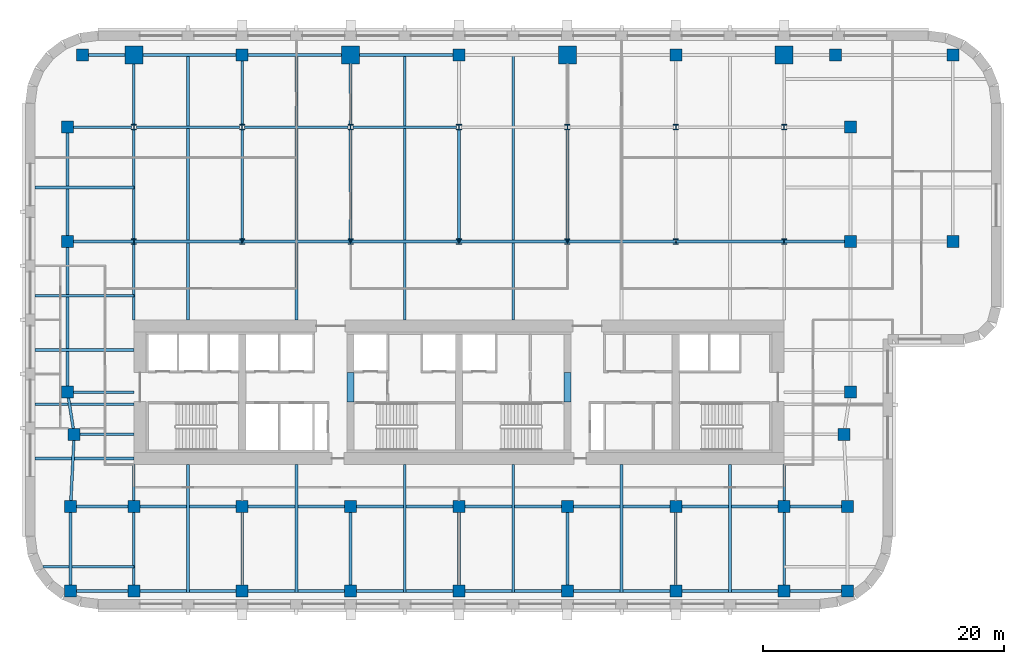
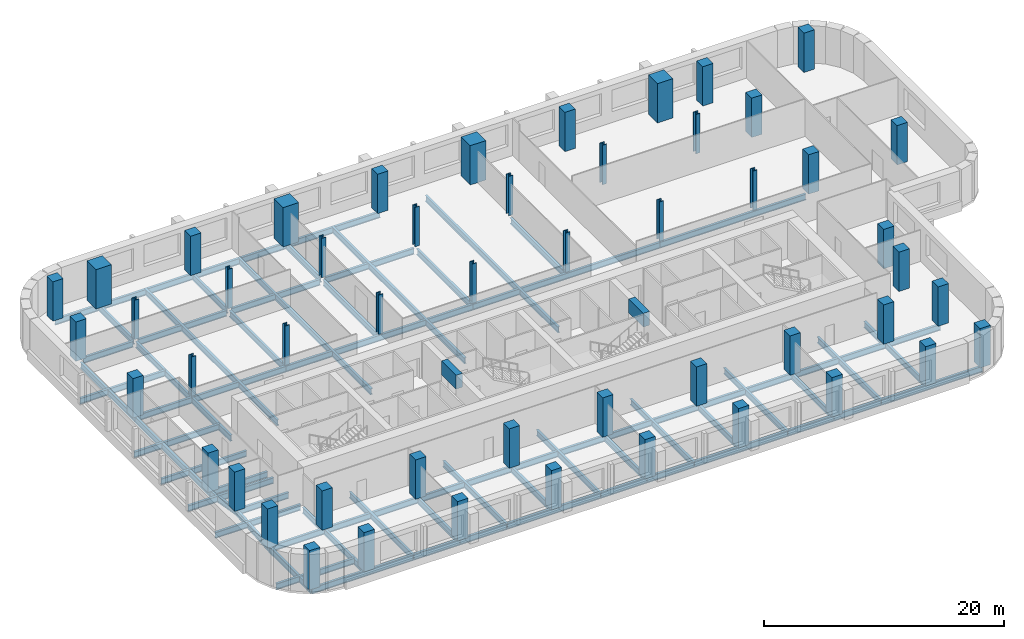
# One storey, part 1 of 9: 58 beams, 51 columns.
"""IFC4 building model written with IfcOpenShell, lengths in metres."""

from ifc_helpers import new_model, si_unit, direction, frame, origin, origin_2d, place, context, subcontext, project, spatial, rectangle, i_section, extrude, material, material_profile, profile_set, type_object, element, save


model = new_model("IFC4")

# Units and contexts
model_context = context("Model", 3, precision=1e-05, world=origin(), true_north=direction((0.0, 1.0)))
body_context = subcontext(model_context, "Body", "Model", "MODEL_VIEW")
ifc_project = project(units=[si_unit("LENGTHUNIT", "METRE"), si_unit("AREAUNIT", "SQUARE_METRE"), si_unit("VOLUMEUNIT", "CUBIC_METRE"), si_unit("PLANEANGLEUNIT", "RADIAN"), si_unit("MASSUNIT", "GRAM", prefix="KILO")], contexts=[model_context])

# Site, building, storey
site_placement = place(None, origin())
site = spatial("IfcSite", under=ifc_project, at=site_placement, CompositionType="ELEMENT")
building_placement = place(site_placement, origin())
building = spatial("IfcBuilding", under=site, at=building_placement, Name="Zellij Exchange Tower", CompositionType="ELEMENT")
storey_placement = place(building_placement, frame((0.0, 0.0, 112.5)))
storey = spatial("IfcBuildingStorey", under=building, at=storey_placement, Name="L24", CompositionType="ELEMENT", Elevation=112.5)

# Columns
ifc_material_1 = material(Name="Concrete C70/85", Category="concrete")
ifc_material_profile_1 = material_profile(ifc_material_1, rectangle(XDim=1.0, YDim=1.0, at=origin_2d()), Name="STR-COLUMN RC1000x1000 C70/85")
ifc_profile_set_1 = profile_set([ifc_material_profile_1], Name="Concrete C70/85")
column_type_1 = type_object("IfcColumnType", Name="STR-COLUMN RC1000x1000 C70/85", PredefinedType="COLUMN", material=ifc_profile_set_1)
for number, where, z_axis, x_axis, name in (
    (1, (-32.25, -24.5, 0.0), (0.0, 0.0, 1.0), (1.0, 0.0, 0.0), "C10"),
    (2, (-27.0, -24.5, 0.0), (0.0, 0.0, 1.0), (1.0, 0.0, 0.0), "C10"),
    (3, (-18.0, -24.5, 0.0), (0.0, 0.0, 1.0), (1.0, 0.0, 0.0), "C10"),
    (4, (-9.0, -24.5, 0.0), (0.0, 0.0, 1.0), (1.0, 0.0, 0.0), "C10"),
    (5, (0.0, -24.5, 0.0), (0.0, 0.0, 1.0), (1.0, 0.0, 0.0), "C10"),
    (6, (9.0, -24.5, 0.0), (0.0, 0.0, 1.0), (1.0, 0.0, 0.0), "C10"),
    (7, (18.0, -24.5, 0.0), (0.0, 0.0, 1.0), (1.0, 0.0, 0.0), "C10"),
    (8, (27.0, -24.5, 0.0), (0.0, 0.0, 1.0), (1.0, 0.0, 0.0), "C10"),
    (9, (32.25, -24.5, 0.0), (0.0, 0.0, 1.0), (1.0, 0.0, 0.0), "C10"),
    (10, (-32.25, -17.5, 0.0), (0.0, 0.0, 1.0), (1.0, 0.0, 0.0), "C10"),
    (11, (-27.0, -17.5, 0.0), (0.0, 0.0, 1.0), (1.0, 0.0, 0.0), "C10"),
    (12, (-18.0, -17.5, 0.0), (0.0, 0.0, 1.0), (1.0, 0.0, 0.0), "C10"),
    (13, (-9.0, -17.5, 0.0), (0.0, 0.0, 1.0), (1.0, 0.0, 0.0), "C10"),
    (14, (0.0, -17.5, 0.0), (0.0, 0.0, 1.0), (1.0, 0.0, 0.0), "C10"),
    (15, (9.0, -17.5, 0.0), (0.0, 0.0, 1.0), (1.0, 0.0, 0.0), "C10"),
    (16, (18.0, -17.5, 0.0), (0.0, 0.0, 1.0), (1.0, 0.0, 0.0), "C10"),
    (17, (27.0, -17.5, 0.0), (0.0, 0.0, 1.0), (1.0, 0.0, 0.0), "C10"),
    (18, (32.25, -17.5, 0.0), (0.0, 0.0, 1.0), (1.0, 0.0, 0.0), "C10"),
    (19, (-31.949951171875, -11.5, 0.0), (0.0, 0.0, 1.0), (1.0, 0.0, 0.0), "C10"),
    (20, (31.949951171875, -11.5, 0.0), (0.0, 0.0, 1.0), (1.0, 0.0, 0.0), "C10"),
    (21, (-32.5, -8.0, 0.0), (0.0, 0.0, 1.0), (1.0, 0.0, 0.0), "C10"),
    (22, (32.5, -8.0, 0.0), (0.0, 0.0, 1.0), (1.0, 0.0, 0.0), "C10"),
    (23, (-32.5, 4.5, 0.0), (0.0, 0.0, 1.0), (1.0, 0.0, 0.0), "C10"),
    (24, (32.5, 4.5, 0.0), (0.0, 0.0, 1.0), (1.0, 0.0, 0.0), "C10"),
    (25, (41.0, 4.5, 0.0), (0.0, 0.0, 1.0), (1.0, 0.0, 0.0), "C10"),
    (26, (-32.5, 14.0, 0.0), (0.0, 0.0, 1.0), (1.0, 0.0, 0.0), "C10"),
    (27, (32.5, 14.0, 0.0), (0.0, 0.0, 1.0), (1.0, 0.0, 0.0), "C10"),
    (28, (-31.25, 20.0, 0.0), (0.0, 0.0, 1.0), (1.0, 0.0, 0.0), "C10"),
    (29, (-18.0, 20.0, 0.0), (0.0, 0.0, 1.0), (1.0, 0.0, 0.0), "C10"),
    (30, (0.0, 20.0, 0.0), (0.0, 0.0, 1.0), (1.0, 0.0, 0.0), "C10"),
    (31, (18.0, 20.0, 0.0), (0.0, 0.0, 1.0), (1.0, 0.0, 0.0), "C10"),
    (32, (31.25, 20.0, 0.0), (0.0, 0.0, 1.0), (1.0, 0.0, 0.0), "C10"),
    (33, (41.0, 20.0, 0.0), (0.0, 0.0, 1.0), (1.0, 0.0, 0.0), "C10"),
):
    element("IfcColumn", number, at=place(storey_placement, frame(where, z_axis=z_axis, x_axis=x_axis)), inside=storey, type_object=column_type_1, Name=name, PredefinedType="COLUMN", context=body_context, shape_type="SweptSolid", body=[
        extrude(rectangle(XDim=1.0, YDim=1.0, at=origin_2d()), origin(), (0.0, 0.0, 1.0), 4.0),
    ])
ifc_material_2 = material(Name="Structural steel ASTM A913 Gr 65", Category="steel")
ifc_material_profile_2 = material_profile(ifc_material_2, i_section(OverallWidth=0.419189453125, OverallDepth=0.45458984375, WebThickness=0.042236328125, FlangeThickness=0.067626953125, at=origin_2d()), Name="W14x370")
ifc_profile_set_2 = profile_set([ifc_material_profile_2], Name="Structural steel ASTM A913 Gr 65")
column_type_2 = type_object("IfcColumnType", Name="STR-COLUMN W14x370", PredefinedType="COLUMN", material=ifc_profile_set_2)
for number, where, z_axis, x_axis, name in (
    (34, (-27.0, 4.5, 0.0), (0.0, 0.0, 1.0), (1.0, 0.0, 0.0), "C4"),
    (35, (-18.0, 4.5, 0.0), (0.0, 0.0, 1.0), (1.0, 0.0, 0.0), "C4"),
    (36, (-9.0, 4.5, 0.0), (0.0, 0.0, 1.0), (1.0, 0.0, 0.0), "C4"),
    (37, (0.0, 4.5, 0.0), (0.0, 0.0, 1.0), (1.0, 0.0, 0.0), "C4"),
    (38, (9.0, 4.5, 0.0), (0.0, 0.0, 1.0), (1.0, 0.0, 0.0), "C4"),
    (39, (18.0, 4.5, 0.0), (0.0, 0.0, 1.0), (1.0, 0.0, 0.0), "C4"),
    (40, (27.0, 4.5, 0.0), (0.0, 0.0, 1.0), (1.0, 0.0, 0.0), "C4"),
    (41, (-27.0, 14.0, 0.0), (0.0, 0.0, 1.0), (1.0, 0.0, 0.0), "C4"),
    (42, (-18.0, 14.0, 0.0), (0.0, 0.0, 1.0), (1.0, 0.0, 0.0), "C4"),
    (43, (-9.0, 14.0, 0.0), (0.0, 0.0, 1.0), (1.0, 0.0, 0.0), "C4"),
    (44, (0.0, 14.0, 0.0), (0.0, 0.0, 1.0), (1.0, 0.0, 0.0), "C4"),
    (45, (9.0, 14.0, 0.0), (0.0, 0.0, 1.0), (1.0, 0.0, 0.0), "C4"),
    (46, (18.0, 14.0, 0.0), (0.0, 0.0, 1.0), (1.0, 0.0, 0.0), "C4"),
    (47, (27.0, 14.0, 0.0), (0.0, 0.0, 1.0), (1.0, 0.0, 0.0), "C4"),
):
    element("IfcColumn", number, at=place(storey_placement, frame(where, z_axis=z_axis, x_axis=x_axis)), inside=storey, type_object=column_type_2, Name=name, PredefinedType="COLUMN", context=body_context, shape_type="SweptSolid", body=[
        extrude(i_section(OverallWidth=0.419189453125, OverallDepth=0.45458984375, WebThickness=0.042236328125, FlangeThickness=0.067626953125, at=origin_2d()), origin(), (0.0, 0.0, 1.0), 4.0),
    ])
ifc_material_profile_3 = material_profile(ifc_material_1, rectangle(XDim=1.5, YDim=1.5, at=origin_2d()), Name="STR-MEGA COLUMN RC1500x1500 C70/85")
ifc_profile_set_3 = profile_set([ifc_material_profile_3], Name="Concrete C70/85")
column_type_3 = type_object("IfcColumnType", Name="STR-MEGA COLUMN RC1500x1500 C70/85", PredefinedType="COLUMN", material=ifc_profile_set_3)
for number, where, z_axis, x_axis, name in (
    (48, (-27.0, 20.0, 0.0), (0.0, 0.0, 1.0), (1.0, 0.0, 0.0), "MC5"),
    (49, (-9.0, 20.0, 0.0), (0.0, 0.0, 1.0), (1.0, 0.0, 0.0), "MC5"),
    (50, (9.0, 20.0, 0.0), (0.0, 0.0, 1.0), (1.0, 0.0, 0.0), "MC5"),
    (51, (27.0, 20.0, 0.0), (0.0, 0.0, 1.0), (1.0, 0.0, 0.0), "MC5"),
):
    element("IfcColumn", number, at=place(storey_placement, frame(where, z_axis=z_axis, x_axis=x_axis)), inside=storey, type_object=column_type_3, Name=name, PredefinedType="COLUMN", context=body_context, shape_type="SweptSolid", body=[
        extrude(rectangle(XDim=1.5, YDim=1.5, at=origin_2d()), origin(), (0.0, 0.0, 1.0), 4.0),
    ])

# Beams
ifc_material_profile_4 = material_profile(ifc_material_1, rectangle(XDim=0.60009765625, YDim=1.39990234375, at=origin_2d()), Name="CORE-CB 600x1400 C70/85")
ifc_profile_set_4 = profile_set([ifc_material_profile_4], Name="Concrete C70/85")
beam_type_1 = type_object("IfcBeamType", Name="CORE-CB 600x1400 C70/85", PredefinedType="BEAM", material=ifc_profile_set_4)
for number, where, z_axis, x_axis, name in (
    (52, (-9.0, -8.800048828125, 3.10009765625), (0.0, 1.0, 0.0), (-1.0, 0.0, 0.0), "Core coupling beam x -9 L24"),
    (53, (9.0, -8.800048828125, 3.10009765625), (0.0, 1.0, 0.0), (-1.0, 0.0, 0.0), "Core coupling beam x 9 L24"),
):
    element("IfcBeam", number, at=place(storey_placement, frame(where, z_axis=z_axis, x_axis=x_axis)), inside=storey, type_object=beam_type_1, Name=name, PredefinedType="BEAM", context=body_context, shape_type="SweptSolid", body=[
        extrude(rectangle(XDim=0.60009765625, YDim=1.39990234375, at=origin_2d()), origin(), (0.0, 0.0, 1.0), 2.425048828125),
    ])
ifc_material_3 = material(Name="Structural steel ASTM A992 Gr 50", Category="steel")
ifc_material_profile_5 = material_profile(ifc_material_3, i_section(OverallWidth=0.227783203125, OverallDepth=0.60205078125, WebThickness=0.010498046875, FlangeThickness=0.014892578125, at=origin_2d()), Name="W24x68")
ifc_profile_set_5 = profile_set([ifc_material_profile_5], Name="Structural steel ASTM A992 Gr 50")
beam_type_2 = type_object("IfcBeamType", Name="STR-BEAM W24x68", PredefinedType="BEAM", material=ifc_profile_set_5)
beam_1_placement = place(storey_placement, frame((-22.5, -24.614501953125, -0.5009765625), z_axis=(0.0, 1.0, 0.0), x_axis=(-1.0, 0.0, 0.0)))
element("IfcBeam", 54, at=beam_1_placement, inside=storey, type_object=beam_type_2, Name="B5", PredefinedType="BEAM", context=body_context, shape_type="SweptSolid", body=[
    extrude(i_section(OverallWidth=0.227783203125, OverallDepth=0.60205078125, WebThickness=0.010498046875, FlangeThickness=0.014892578125, at=origin_2d()), origin(), (0.0, 0.0, 1.0), 10.614501953125),
])
beam_2_placement = place(storey_placement, frame((-22.5, -2.0, -0.5009765625), z_axis=(0.0, 1.0, 0.0), x_axis=(-1.0, 0.0, 0.0)))
element("IfcBeam", 55, at=beam_2_placement, inside=storey, type_object=beam_type_2, Name="B5", PredefinedType="BEAM", context=body_context, shape_type="SweptSolid", body=[
    extrude(i_section(OverallWidth=0.227783203125, OverallDepth=0.60205078125, WebThickness=0.010498046875, FlangeThickness=0.014892578125, at=origin_2d()), origin(), (0.0, 0.0, 1.0), 22.114501953125),
])
beam_3_placement = place(storey_placement, frame((-13.5, -24.614501953125, -0.5009765625), z_axis=(0.0, 1.0, 0.0), x_axis=(-1.0, 0.0, 0.0)))
element("IfcBeam", 56, at=beam_3_placement, inside=storey, type_object=beam_type_2, Name="B5", PredefinedType="BEAM", context=body_context, shape_type="SweptSolid", body=[
    extrude(i_section(OverallWidth=0.227783203125, OverallDepth=0.60205078125, WebThickness=0.010498046875, FlangeThickness=0.014892578125, at=origin_2d()), origin(), (0.0, 0.0, 1.0), 10.614501953125),
])
beam_4_placement = place(storey_placement, frame((-13.5, -2.0, -0.5009765625), z_axis=(0.0, 1.0, 0.0), x_axis=(-1.0, 0.0, 0.0)))
element("IfcBeam", 57, at=beam_4_placement, inside=storey, type_object=beam_type_2, Name="B5", PredefinedType="BEAM", context=body_context, shape_type="SweptSolid", body=[
    extrude(i_section(OverallWidth=0.227783203125, OverallDepth=0.60205078125, WebThickness=0.010498046875, FlangeThickness=0.014892578125, at=origin_2d()), origin(), (0.0, 0.0, 1.0), 22.114501953125),
])
beam_5_placement = place(storey_placement, frame((-4.5, -24.614501953125, -0.5009765625), z_axis=(0.0, 1.0, 0.0), x_axis=(-1.0, 0.0, 0.0)))
element("IfcBeam", 58, at=beam_5_placement, inside=storey, type_object=beam_type_2, Name="B5", PredefinedType="BEAM", context=body_context, shape_type="SweptSolid", body=[
    extrude(i_section(OverallWidth=0.227783203125, OverallDepth=0.60205078125, WebThickness=0.010498046875, FlangeThickness=0.014892578125, at=origin_2d()), origin(), (0.0, 0.0, 1.0), 10.614501953125),
])
beam_6_placement = place(storey_placement, frame((-4.5, -2.0, -0.5009765625), z_axis=(0.0, 1.0, 0.0), x_axis=(-1.0, 0.0, 0.0)))
element("IfcBeam", 59, at=beam_6_placement, inside=storey, type_object=beam_type_2, Name="B5", PredefinedType="BEAM", context=body_context, shape_type="SweptSolid", body=[
    extrude(i_section(OverallWidth=0.227783203125, OverallDepth=0.60205078125, WebThickness=0.010498046875, FlangeThickness=0.014892578125, at=origin_2d()), origin(), (0.0, 0.0, 1.0), 22.114501953125),
])
beam_7_placement = place(storey_placement, frame((4.5, -24.614501953125, -0.5009765625), z_axis=(0.0, 1.0, 0.0), x_axis=(-1.0, 0.0, 0.0)))
element("IfcBeam", 60, at=beam_7_placement, inside=storey, type_object=beam_type_2, Name="B5", PredefinedType="BEAM", context=body_context, shape_type="SweptSolid", body=[
    extrude(i_section(OverallWidth=0.227783203125, OverallDepth=0.60205078125, WebThickness=0.010498046875, FlangeThickness=0.014892578125, at=origin_2d()), origin(), (0.0, 0.0, 1.0), 10.614501953125),
])
beam_8_placement = place(storey_placement, frame((4.5, -2.0, -0.5009765625), z_axis=(0.0, 1.0, 0.0), x_axis=(-1.0, 0.0, 0.0)))
element("IfcBeam", 61, at=beam_8_placement, inside=storey, type_object=beam_type_2, Name="B5", PredefinedType="BEAM", context=body_context, shape_type="SweptSolid", body=[
    extrude(i_section(OverallWidth=0.227783203125, OverallDepth=0.60205078125, WebThickness=0.010498046875, FlangeThickness=0.014892578125, at=origin_2d()), origin(), (0.0, 0.0, 1.0), 22.114501953125),
])
for number, where, z_axis, x_axis, name in (
    (62, (13.5, -24.614501953125, -0.5009765625), (0.0, 1.0, 0.0), (-1.0, 0.0, 0.0), "B5"),
    (63, (22.5, -24.614501953125, -0.5009765625), (0.0, 1.0, 0.0), (-1.0, 0.0, 0.0), "B5"),
):
    element("IfcBeam", number, at=place(storey_placement, frame(where, z_axis=z_axis, x_axis=x_axis)), inside=storey, type_object=beam_type_2, Name=name, PredefinedType="BEAM", context=body_context, shape_type="SweptSolid", body=[
        extrude(i_section(OverallWidth=0.227783203125, OverallDepth=0.60205078125, WebThickness=0.010498046875, FlangeThickness=0.014892578125, at=origin_2d()), origin(), (0.0, 0.0, 1.0), 10.614501953125),
    ])
beam_9_placement = place(storey_placement, frame((-34.537109375, -22.5, -0.5009765625), z_axis=(1.0, 0.0, 0.0), x_axis=(0.0, 1.0, 0.0)))
element("IfcBeam", 64, at=beam_9_placement, inside=storey, type_object=beam_type_2, Name="B5", PredefinedType="BEAM", context=body_context, shape_type="SweptSolid", body=[
    extrude(i_section(OverallWidth=0.227783203125, OverallDepth=0.60205078125, WebThickness=0.010498046875, FlangeThickness=0.014892578125, at=origin_2d()), origin(), (0.0, 0.0, 1.0), 7.537109375),
])
for number, where, z_axis, x_axis, name in (
    (65, (-35.199951171875, -13.5, -0.5009765625), (1.0, 0.0, 0.0), (0.0, 1.0, 0.0), "B5"),
    (66, (-35.199951171875, -9.0, -0.5009765625), (1.0, 0.0, 0.0), (0.0, 1.0, 0.0), "B5"),
    (67, (-35.199951171875, -4.5, -0.5009765625), (1.0, 0.0, 0.0), (0.0, 1.0, 0.0), "B5"),
    (68, (-35.199951171875, 0.0, -0.5009765625), (1.0, 0.0, 0.0), (0.0, 1.0, 0.0), "B5"),
    (69, (-35.199951171875, 9.0, -0.5009765625), (1.0, 0.0, 0.0), (0.0, 1.0, 0.0), "B5"),
):
    element("IfcBeam", number, at=place(storey_placement, frame(where, z_axis=z_axis, x_axis=x_axis)), inside=storey, type_object=beam_type_2, Name=name, PredefinedType="BEAM", context=body_context, shape_type="SweptSolid", body=[
        extrude(i_section(OverallWidth=0.227783203125, OverallDepth=0.60205078125, WebThickness=0.010498046875, FlangeThickness=0.014892578125, at=origin_2d()), origin(), (0.0, 0.0, 1.0), 8.199951171875),
    ])
ifc_material_profile_6 = material_profile(ifc_material_3, i_section(OverallWidth=0.22900390625, OverallDepth=0.612060546875, WebThickness=0.011962890625, FlangeThickness=0.01953125, at=origin_2d()), Name="W24x84")
ifc_profile_set_6 = profile_set([ifc_material_profile_6], Name="Structural steel ASTM A992 Gr 50")
beam_type_3 = type_object("IfcBeamType", Name="STR-EDGE GIRDER W24x84", PredefinedType="BEAM", material=ifc_profile_set_6)
beam_10_placement = place(storey_placement, frame((-32.25, -24.5, -0.506103515625), z_axis=(0.0, 1.0, 0.0), x_axis=(-1.0, 0.0, 0.0)))
element("IfcBeam", 70, at=beam_10_placement, inside=storey, type_object=beam_type_3, Name="EB6", PredefinedType="BEAM", context=body_context, shape_type="SweptSolid", body=[
    extrude(i_section(OverallWidth=0.22900390625, OverallDepth=0.612060546875, WebThickness=0.011962890625, FlangeThickness=0.01953125, at=origin_2d()), origin(), (0.0, 0.0, 1.0), 7.0),
])
beam_11_placement = place(storey_placement, frame((-32.25, -17.5, -0.506103515625), z_axis=(0.049945724537, 0.998751933465, 0.0), x_axis=(-0.998751933465, 0.049945724537, 0.0)))
element("IfcBeam", 71, at=beam_11_placement, inside=storey, type_object=beam_type_3, Name="EB6", PredefinedType="BEAM", context=body_context, shape_type="SweptSolid", body=[
    extrude(i_section(OverallWidth=0.22900390625, OverallDepth=0.612060546875, WebThickness=0.011962890625, FlangeThickness=0.01953125, at=origin_2d()), origin(), (0.0, 0.0, 1.0), 6.007568359375),
])
beam_12_placement = place(storey_placement, frame((-31.949951171875, -11.5, -0.506103515625), z_axis=(-0.155251283593, 0.987875011802, 0.0), x_axis=(-0.987875011802, -0.155251283593, 0.0)))
element("IfcBeam", 72, at=beam_12_placement, inside=storey, type_object=beam_type_3, Name="EB6", PredefinedType="BEAM", context=body_context, shape_type="SweptSolid", body=[
    extrude(i_section(OverallWidth=0.22900390625, OverallDepth=0.612060546875, WebThickness=0.011962890625, FlangeThickness=0.01953125, at=origin_2d()), origin(), (0.0, 0.0, 1.0), 3.54296875),
])
beam_13_placement = place(storey_placement, frame((-32.5, -8.0, -0.506103515625), z_axis=(0.0, 1.0, 0.0), x_axis=(-1.0, 0.0, 0.0)))
element("IfcBeam", 73, at=beam_13_placement, inside=storey, type_object=beam_type_3, Name="EB6", PredefinedType="BEAM", context=body_context, shape_type="SweptSolid", body=[
    extrude(i_section(OverallWidth=0.22900390625, OverallDepth=0.612060546875, WebThickness=0.011962890625, FlangeThickness=0.01953125, at=origin_2d()), origin(), (0.0, 0.0, 1.0), 12.5),
])
beam_14_placement = place(storey_placement, frame((-32.5, 4.5, -0.506103515625), z_axis=(0.0, 1.0, 0.0), x_axis=(-1.0, 0.0, 0.0)))
element("IfcBeam", 74, at=beam_14_placement, inside=storey, type_object=beam_type_3, Name="EB6", PredefinedType="BEAM", context=body_context, shape_type="SweptSolid", body=[
    extrude(i_section(OverallWidth=0.22900390625, OverallDepth=0.612060546875, WebThickness=0.011962890625, FlangeThickness=0.01953125, at=origin_2d()), origin(), (0.0, 0.0, 1.0), 9.0),
])
ifc_material_profile_7 = material_profile(ifc_material_3, i_section(OverallWidth=0.22900390625, OverallDepth=0.612060546875, WebThickness=0.011962890625, FlangeThickness=0.01953125, at=origin_2d()), Name="W24x84")
ifc_profile_set_7 = profile_set([ifc_material_profile_7], Name="Structural steel ASTM A992 Gr 50")
beam_type_4 = type_object("IfcBeamType", Name="STR-GIRDER W24x84", PredefinedType="BEAM", material=ifc_profile_set_7)
beam_15_placement = place(storey_placement, frame((-32.25, -24.5, -0.506103515625), z_axis=(1.0, 0.0, 0.0), x_axis=(0.0, 1.0, 0.0)))
element("IfcBeam", 75, at=beam_15_placement, inside=storey, type_object=beam_type_4, Name="G4", PredefinedType="BEAM", context=body_context, shape_type="SweptSolid", body=[
    extrude(i_section(OverallWidth=0.22900390625, OverallDepth=0.612060546875, WebThickness=0.011962890625, FlangeThickness=0.01953125, at=origin_2d()), origin(), (0.0, 0.0, 1.0), 14.25),
])
for number, where, z_axis, x_axis, name in (
    (76, (-18.0, -24.5, -0.506103515625), (1.0, 0.0, 0.0), (0.0, 1.0, 0.0), "G4"),
    (77, (0.0, -24.5, -0.506103515625), (1.0, 0.0, 0.0), (0.0, 1.0, 0.0), "G4"),
):
    element("IfcBeam", number, at=place(storey_placement, frame(where, z_axis=z_axis, x_axis=x_axis)), inside=storey, type_object=beam_type_4, Name=name, PredefinedType="BEAM", context=body_context, shape_type="SweptSolid", body=[
        extrude(i_section(OverallWidth=0.22900390625, OverallDepth=0.612060546875, WebThickness=0.011962890625, FlangeThickness=0.01953125, at=origin_2d()), origin(), (0.0, 0.0, 1.0), 18.0),
    ])
for number, where, z_axis, x_axis, name in (
    (78, (18.0, -24.5, -0.506103515625), (1.0, 0.0, 0.0), (0.0, 1.0, 0.0), "G4"),
    (79, (-32.25, -17.5, -0.506103515625), (1.0, 0.0, 0.0), (0.0, 1.0, 0.0), "G4"),
):
    element("IfcBeam", number, at=place(storey_placement, frame(where, z_axis=z_axis, x_axis=x_axis)), inside=storey, type_object=beam_type_4, Name=name, PredefinedType="BEAM", context=body_context, shape_type="SweptSolid", body=[
        extrude(i_section(OverallWidth=0.22900390625, OverallDepth=0.612060546875, WebThickness=0.011962890625, FlangeThickness=0.01953125, at=origin_2d()), origin(), (0.0, 0.0, 1.0), 14.25),
    ])
for number, where, z_axis, x_axis, name in (
    (80, (-18.0, -17.5, -0.506103515625), (1.0, 0.0, 0.0), (0.0, 1.0, 0.0), "G4"),
    (81, (0.0, -17.5, -0.506103515625), (1.0, 0.0, 0.0), (0.0, 1.0, 0.0), "G4"),
):
    element("IfcBeam", number, at=place(storey_placement, frame(where, z_axis=z_axis, x_axis=x_axis)), inside=storey, type_object=beam_type_4, Name=name, PredefinedType="BEAM", context=body_context, shape_type="SweptSolid", body=[
        extrude(i_section(OverallWidth=0.22900390625, OverallDepth=0.612060546875, WebThickness=0.011962890625, FlangeThickness=0.01953125, at=origin_2d()), origin(), (0.0, 0.0, 1.0), 18.0),
    ])
beam_16_placement = place(storey_placement, frame((18.0, -17.5, -0.506103515625), z_axis=(1.0, 0.0, 0.0), x_axis=(0.0, 1.0, 0.0)))
element("IfcBeam", 82, at=beam_16_placement, inside=storey, type_object=beam_type_4, Name="G4", PredefinedType="BEAM", context=body_context, shape_type="SweptSolid", body=[
    extrude(i_section(OverallWidth=0.22900390625, OverallDepth=0.612060546875, WebThickness=0.011962890625, FlangeThickness=0.01953125, at=origin_2d()), origin(), (0.0, 0.0, 1.0), 14.25),
])
beam_17_placement = place(storey_placement, frame((-31.949951171875, -11.5, -0.506103515625), z_axis=(1.0, 0.0, 0.0), x_axis=(0.0, 1.0, 0.0)))
element("IfcBeam", 83, at=beam_17_placement, inside=storey, type_object=beam_type_4, Name="G4", PredefinedType="BEAM", context=body_context, shape_type="SweptSolid", body=[
    extrude(i_section(OverallWidth=0.22900390625, OverallDepth=0.612060546875, WebThickness=0.011962890625, FlangeThickness=0.01953125, at=origin_2d()), origin(), (0.0, 0.0, 1.0), 4.949951171875),
])
beam_18_placement = place(storey_placement, frame((-32.5, -8.0, -0.506103515625), z_axis=(1.0, 0.0, 0.0), x_axis=(0.0, 1.0, 0.0)))
element("IfcBeam", 84, at=beam_18_placement, inside=storey, type_object=beam_type_4, Name="G4", PredefinedType="BEAM", context=body_context, shape_type="SweptSolid", body=[
    extrude(i_section(OverallWidth=0.22900390625, OverallDepth=0.612060546875, WebThickness=0.011962890625, FlangeThickness=0.01953125, at=origin_2d()), origin(), (0.0, 0.0, 1.0), 5.5),
])
beam_19_placement = place(storey_placement, frame((-32.5, 4.5, -0.506103515625), z_axis=(1.0, 0.0, 0.0), x_axis=(0.0, 1.0, 0.0)))
element("IfcBeam", 85, at=beam_19_placement, inside=storey, type_object=beam_type_4, Name="G4", PredefinedType="BEAM", context=body_context, shape_type="SweptSolid", body=[
    extrude(i_section(OverallWidth=0.22900390625, OverallDepth=0.612060546875, WebThickness=0.011962890625, FlangeThickness=0.01953125, at=origin_2d()), origin(), (0.0, 0.0, 1.0), 14.5),
])
for number, where, z_axis, x_axis, name in (
    (86, (-18.0, 4.5, -0.506103515625), (1.0, 0.0, 0.0), (0.0, 1.0, 0.0), "G4"),
    (87, (0.0, 4.5, -0.506103515625), (1.0, 0.0, 0.0), (0.0, 1.0, 0.0), "G4"),
):
    element("IfcBeam", number, at=place(storey_placement, frame(where, z_axis=z_axis, x_axis=x_axis)), inside=storey, type_object=beam_type_4, Name=name, PredefinedType="BEAM", context=body_context, shape_type="SweptSolid", body=[
        extrude(i_section(OverallWidth=0.22900390625, OverallDepth=0.612060546875, WebThickness=0.011962890625, FlangeThickness=0.01953125, at=origin_2d()), origin(), (0.0, 0.0, 1.0), 18.0),
    ])
beam_20_placement = place(storey_placement, frame((18.0, 4.5, -0.506103515625), z_axis=(1.0, 0.0, 0.0), x_axis=(0.0, 1.0, 0.0)))
element("IfcBeam", 88, at=beam_20_placement, inside=storey, type_object=beam_type_4, Name="G4", PredefinedType="BEAM", context=body_context, shape_type="SweptSolid", body=[
    extrude(i_section(OverallWidth=0.22900390625, OverallDepth=0.612060546875, WebThickness=0.011962890625, FlangeThickness=0.01953125, at=origin_2d()), origin(), (0.0, 0.0, 1.0), 14.0),
])
beam_21_placement = place(storey_placement, frame((-32.0, 14.0, -0.506103515625), z_axis=(1.0, 0.0, 0.0), x_axis=(0.0, 1.0, 0.0)))
element("IfcBeam", 89, at=beam_21_placement, inside=storey, type_object=beam_type_4, Name="G4", PredefinedType="BEAM", context=body_context, shape_type="SweptSolid", body=[
    extrude(i_section(OverallWidth=0.22900390625, OverallDepth=0.612060546875, WebThickness=0.011962890625, FlangeThickness=0.01953125, at=origin_2d()), origin(), (0.0, 0.0, 1.0), 4.790283203125),
])
for number, where, z_axis, x_axis, name in (
    (90, (-26.790283203125, 14.0, -0.506103515625), (1.0, 0.0, 0.0), (0.0, 1.0, 0.0), "G4"),
    (91, (-17.790283203125, 14.0, -0.506103515625), (1.0, 0.0, 0.0), (0.0, 1.0, 0.0), "G4"),
):
    element("IfcBeam", number, at=place(storey_placement, frame(where, z_axis=z_axis, x_axis=x_axis)), inside=storey, type_object=beam_type_4, Name=name, PredefinedType="BEAM", context=body_context, shape_type="SweptSolid", body=[
        extrude(i_section(OverallWidth=0.22900390625, OverallDepth=0.612060546875, WebThickness=0.011962890625, FlangeThickness=0.01953125, at=origin_2d()), origin(), (0.0, 0.0, 1.0), 8.58056640625),
    ])
beam_22_placement = place(storey_placement, frame((-8.790283203125, 14.0, -0.506103515625), z_axis=(1.0, 0.0, 0.0), x_axis=(0.0, 1.0, 0.0)))
element("IfcBeam", 92, at=beam_22_placement, inside=storey, type_object=beam_type_4, Name="G4", PredefinedType="BEAM", context=body_context, shape_type="SweptSolid", body=[
    extrude(i_section(OverallWidth=0.22900390625, OverallDepth=0.612060546875, WebThickness=0.011962890625, FlangeThickness=0.01953125, at=origin_2d()), origin(), (0.0, 0.0, 1.0), 8.580810546875),
])
beam_23_placement = place(storey_placement, frame((-31.25, 20.0, -0.506103515625), z_axis=(1.0, 0.0, 0.0), x_axis=(0.0, 1.0, 0.0)))
element("IfcBeam", 93, at=beam_23_placement, inside=storey, type_object=beam_type_4, Name="G4", PredefinedType="BEAM", context=body_context, shape_type="SweptSolid", body=[
    extrude(i_section(OverallWidth=0.22900390625, OverallDepth=0.612060546875, WebThickness=0.011962890625, FlangeThickness=0.01953125, at=origin_2d()), origin(), (0.0, 0.0, 1.0), 13.25),
])
beam_24_placement = place(storey_placement, frame((-18.0, 20.0, -0.506103515625), z_axis=(1.0, 0.0, 0.0), x_axis=(0.0, 1.0, 0.0)))
element("IfcBeam", 94, at=beam_24_placement, inside=storey, type_object=beam_type_4, Name="G4", PredefinedType="BEAM", context=body_context, shape_type="SweptSolid", body=[
    extrude(i_section(OverallWidth=0.22900390625, OverallDepth=0.612060546875, WebThickness=0.011962890625, FlangeThickness=0.01953125, at=origin_2d()), origin(), (0.0, 0.0, 1.0), 18.0),
])
beam_25_placement = place(storey_placement, frame((-27.0, -24.5, -0.506103515625), z_axis=(0.0, 1.0, 0.0), x_axis=(-1.0, 0.0, 0.0)))
element("IfcBeam", 95, at=beam_25_placement, inside=storey, type_object=beam_type_4, Name="G4", PredefinedType="BEAM", context=body_context, shape_type="SweptSolid", body=[
    extrude(i_section(OverallWidth=0.22900390625, OverallDepth=0.612060546875, WebThickness=0.011962890625, FlangeThickness=0.01953125, at=origin_2d()), origin(), (0.0, 0.0, 1.0), 10.5),
])
beam_26_placement = place(storey_placement, frame((-27.0, -2.0, -0.506103515625), z_axis=(0.0, 1.0, 0.0), x_axis=(-1.0, 0.0, 0.0)))
element("IfcBeam", 96, at=beam_26_placement, inside=storey, type_object=beam_type_4, Name="G4", PredefinedType="BEAM", context=body_context, shape_type="SweptSolid", body=[
    extrude(i_section(OverallWidth=0.22900390625, OverallDepth=0.612060546875, WebThickness=0.011962890625, FlangeThickness=0.01953125, at=origin_2d()), origin(), (0.0, 0.0, 1.0), 15.772705078125),
])
beam_27_placement = place(storey_placement, frame((-27.0, 14.227294921875, -0.506103515625), z_axis=(0.0, 1.0, 0.0), x_axis=(-1.0, 0.0, 0.0)))
element("IfcBeam", 97, at=beam_27_placement, inside=storey, type_object=beam_type_4, Name="G4", PredefinedType="BEAM", context=body_context, shape_type="SweptSolid", body=[
    extrude(i_section(OverallWidth=0.22900390625, OverallDepth=0.612060546875, WebThickness=0.011962890625, FlangeThickness=0.01953125, at=origin_2d()), origin(), (0.0, 0.0, 1.0), 5.772705078125),
])
beam_28_placement = place(storey_placement, frame((-18.0, -24.5, -0.506103515625), z_axis=(0.0, 1.0, 0.0), x_axis=(-1.0, 0.0, 0.0)))
element("IfcBeam", 98, at=beam_28_placement, inside=storey, type_object=beam_type_4, Name="G4", PredefinedType="BEAM", context=body_context, shape_type="SweptSolid", body=[
    extrude(i_section(OverallWidth=0.22900390625, OverallDepth=0.612060546875, WebThickness=0.011962890625, FlangeThickness=0.01953125, at=origin_2d()), origin(), (0.0, 0.0, 1.0), 7.0),
])
beam_29_placement = place(storey_placement, frame((-18.0, 4.5, -0.506103515625), z_axis=(0.0, 1.0, 0.0), x_axis=(-1.0, 0.0, 0.0)))
element("IfcBeam", 99, at=beam_29_placement, inside=storey, type_object=beam_type_4, Name="G4", PredefinedType="BEAM", context=body_context, shape_type="SweptSolid", body=[
    extrude(i_section(OverallWidth=0.22900390625, OverallDepth=0.612060546875, WebThickness=0.011962890625, FlangeThickness=0.01953125, at=origin_2d()), origin(), (0.0, 0.0, 1.0), 9.272705078125),
])
beam_30_placement = place(storey_placement, frame((-18.0, 14.227294921875, -0.506103515625), z_axis=(0.0, 1.0, 0.0), x_axis=(-1.0, 0.0, 0.0)))
element("IfcBeam", 100, at=beam_30_placement, inside=storey, type_object=beam_type_4, Name="G4", PredefinedType="BEAM", context=body_context, shape_type="SweptSolid", body=[
    extrude(i_section(OverallWidth=0.22900390625, OverallDepth=0.612060546875, WebThickness=0.011962890625, FlangeThickness=0.01953125, at=origin_2d()), origin(), (0.0, 0.0, 1.0), 5.772705078125),
])
beam_31_placement = place(storey_placement, frame((-9.0, -24.5, -0.506103515625), z_axis=(0.0, 1.0, 0.0), x_axis=(-1.0, 0.0, 0.0)))
element("IfcBeam", 101, at=beam_31_placement, inside=storey, type_object=beam_type_4, Name="G4", PredefinedType="BEAM", context=body_context, shape_type="SweptSolid", body=[
    extrude(i_section(OverallWidth=0.22900390625, OverallDepth=0.612060546875, WebThickness=0.011962890625, FlangeThickness=0.01953125, at=origin_2d()), origin(), (0.0, 0.0, 1.0), 7.0),
])
beam_32_placement = place(storey_placement, frame((-9.0, 4.5, -0.506103515625), z_axis=(0.0, 1.0, 0.0), x_axis=(-1.0, 0.0, 0.0)))
element("IfcBeam", 102, at=beam_32_placement, inside=storey, type_object=beam_type_4, Name="G4", PredefinedType="BEAM", context=body_context, shape_type="SweptSolid", body=[
    extrude(i_section(OverallWidth=0.22900390625, OverallDepth=0.612060546875, WebThickness=0.011962890625, FlangeThickness=0.01953125, at=origin_2d()), origin(), (0.0, 0.0, 1.0), 9.272705078125),
])
beam_33_placement = place(storey_placement, frame((-9.0, 14.227294921875, -0.506103515625), z_axis=(0.0, 1.0, 0.0), x_axis=(-1.0, 0.0, 0.0)))
element("IfcBeam", 103, at=beam_33_placement, inside=storey, type_object=beam_type_4, Name="G4", PredefinedType="BEAM", context=body_context, shape_type="SweptSolid", body=[
    extrude(i_section(OverallWidth=0.22900390625, OverallDepth=0.612060546875, WebThickness=0.011962890625, FlangeThickness=0.01953125, at=origin_2d()), origin(), (0.0, 0.0, 1.0), 5.772705078125),
])
beam_34_placement = place(storey_placement, frame((0.0, -24.5, -0.506103515625), z_axis=(0.0, 1.0, 0.0), x_axis=(-1.0, 0.0, 0.0)))
element("IfcBeam", 104, at=beam_34_placement, inside=storey, type_object=beam_type_4, Name="G4", PredefinedType="BEAM", context=body_context, shape_type="SweptSolid", body=[
    extrude(i_section(OverallWidth=0.22900390625, OverallDepth=0.612060546875, WebThickness=0.011962890625, FlangeThickness=0.01953125, at=origin_2d()), origin(), (0.0, 0.0, 1.0), 7.0),
])
beam_35_placement = place(storey_placement, frame((0.0, 4.5, -0.506103515625), z_axis=(0.0, 1.0, 0.0), x_axis=(-1.0, 0.0, 0.0)))
element("IfcBeam", 105, at=beam_35_placement, inside=storey, type_object=beam_type_4, Name="G4", PredefinedType="BEAM", context=body_context, shape_type="SweptSolid", body=[
    extrude(i_section(OverallWidth=0.22900390625, OverallDepth=0.612060546875, WebThickness=0.011962890625, FlangeThickness=0.01953125, at=origin_2d()), origin(), (0.0, 0.0, 1.0), 9.272705078125),
])
beam_36_placement = place(storey_placement, frame((9.0, -24.5, -0.506103515625), z_axis=(0.0, 1.0, 0.0), x_axis=(-1.0, 0.0, 0.0)))
element("IfcBeam", 106, at=beam_36_placement, inside=storey, type_object=beam_type_4, Name="G4", PredefinedType="BEAM", context=body_context, shape_type="SweptSolid", body=[
    extrude(i_section(OverallWidth=0.22900390625, OverallDepth=0.612060546875, WebThickness=0.011962890625, FlangeThickness=0.01953125, at=origin_2d()), origin(), (0.0, 0.0, 1.0), 7.0),
])
beam_37_placement = place(storey_placement, frame((9.0, 4.5, -0.506103515625), z_axis=(0.0, 1.0, 0.0), x_axis=(-1.0, 0.0, 0.0)))
element("IfcBeam", 107, at=beam_37_placement, inside=storey, type_object=beam_type_4, Name="G4", PredefinedType="BEAM", context=body_context, shape_type="SweptSolid", body=[
    extrude(i_section(OverallWidth=0.22900390625, OverallDepth=0.612060546875, WebThickness=0.011962890625, FlangeThickness=0.01953125, at=origin_2d()), origin(), (0.0, 0.0, 1.0), 9.272705078125),
])
beam_38_placement = place(storey_placement, frame((18.0, -24.5, -0.506103515625), z_axis=(0.0, 1.0, 0.0), x_axis=(-1.0, 0.0, 0.0)))
element("IfcBeam", 108, at=beam_38_placement, inside=storey, type_object=beam_type_4, Name="G4", PredefinedType="BEAM", context=body_context, shape_type="SweptSolid", body=[
    extrude(i_section(OverallWidth=0.22900390625, OverallDepth=0.612060546875, WebThickness=0.011962890625, FlangeThickness=0.01953125, at=origin_2d()), origin(), (0.0, 0.0, 1.0), 7.0),
])
beam_39_placement = place(storey_placement, frame((27.0, -24.5, -0.506103515625), z_axis=(0.0, 1.0, 0.0), x_axis=(-1.0, 0.0, 0.0)))
element("IfcBeam", 109, at=beam_39_placement, inside=storey, type_object=beam_type_4, Name="G4", PredefinedType="BEAM", context=body_context, shape_type="SweptSolid", body=[
    extrude(i_section(OverallWidth=0.22900390625, OverallDepth=0.612060546875, WebThickness=0.011962890625, FlangeThickness=0.01953125, at=origin_2d()), origin(), (0.0, 0.0, 1.0), 10.5),
])

save(model, "model.ifc")
